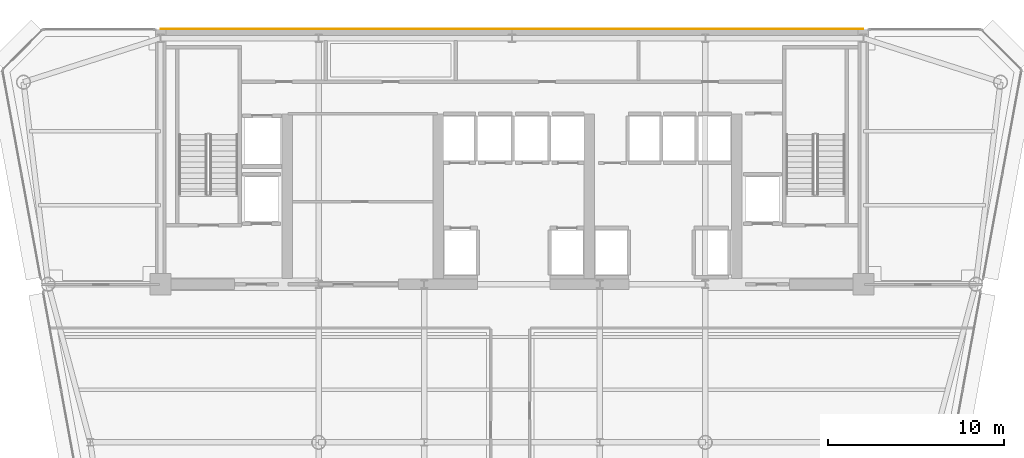
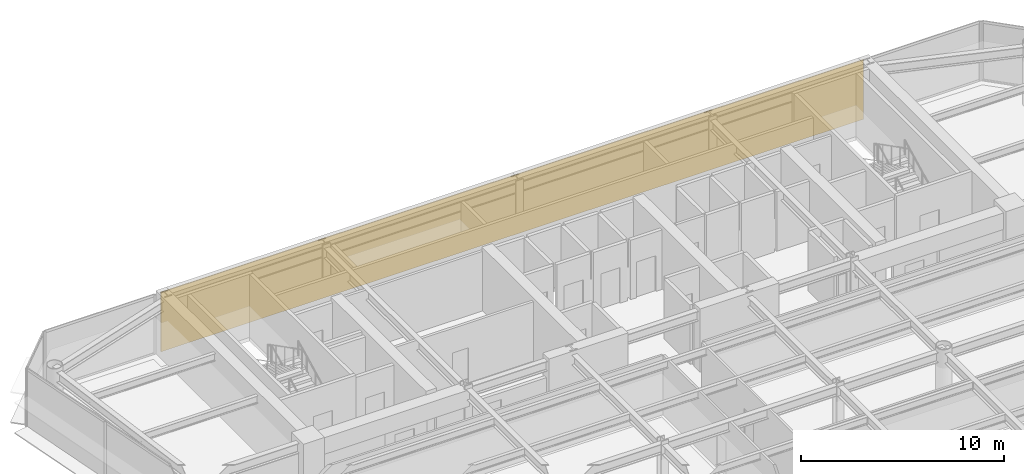
# One storey, part 15 of 16: 1 covering.
"""IFC4 building model written with IfcOpenShell, lengths in metres."""

from ifc_helpers import new_model, si_unit, direction, frame, origin, place, context, subcontext, project, spatial, polyline, outline, extrude, material, layer, layer_set, type_object, element, save


model = new_model("IFC4")

# Units and contexts
model_context = context("Model", 3, precision=1e-05, world=origin(), true_north=direction((0.0, 1.0)))
body_context = subcontext(model_context, "Body", "Model", "MODEL_VIEW")
ifc_project = project(units=[si_unit("LENGTHUNIT", "METRE"), si_unit("AREAUNIT", "SQUARE_METRE"), si_unit("VOLUMEUNIT", "CUBIC_METRE"), si_unit("PLANEANGLEUNIT", "RADIAN"), si_unit("MASSUNIT", "GRAM", prefix="KILO")], contexts=[model_context])

# Site, building, storey
site_placement = place(None, origin())
site = spatial("IfcSite", under=ifc_project, at=site_placement, CompositionType="ELEMENT")
building_placement = place(site_placement, origin())
building = spatial("IfcBuilding", under=site, at=building_placement, Name="Vaeldorn Concourse Tower", CompositionType="ELEMENT")
storey_placement = place(building_placement, frame((0.0, 0.0, 191.800048828125)))
storey = spatial("IfcBuildingStorey", under=building, at=storey_placement, Name="L49", CompositionType="ELEMENT", Elevation=191.800048828125)

# Covering
ifc_material = material(Name="Anodised Bronze Aluminium", Category="aluminium")
ifc_layer = layer(ifc_material, 0.050048828125)
ifc_layer_set = layer_set([ifc_layer], Name="Anodised Bronze Aluminium")
covering_type = type_object("IfcCoveringType", Name="COV-CLAD-BRONZE", PredefinedType="CLADDING", material=ifc_layer_set)
covering_placement = place(storey_placement, origin())
element("IfcCovering", 1, at=covering_placement, inside=storey, type_object=covering_type, Name="Rear Core Bronze Spandrel Cladding L49", PredefinedType="CLADDING", context=body_context, shape_type="SweptSolid", body=[
    extrude(outline(polyline([(14.0, 51.0), (54.0, 51.0), (54.0, 51.050048828125), (14.0, 51.050048828125), (14.0, 51.0)])), origin(), (0.0, 0.0, 1.0), 3.579833984375),
])

save(model, "model.ifc")
